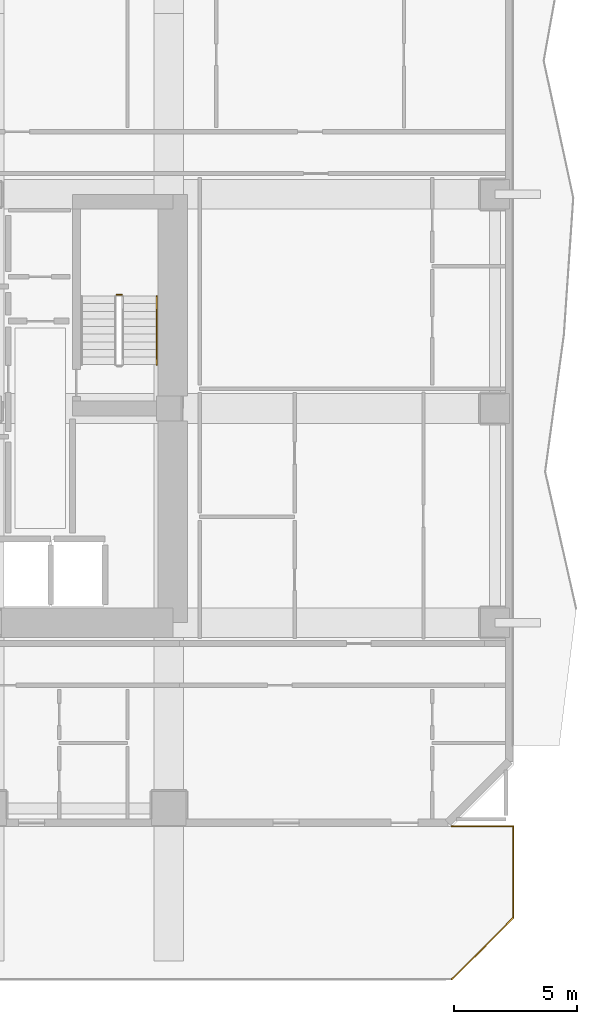
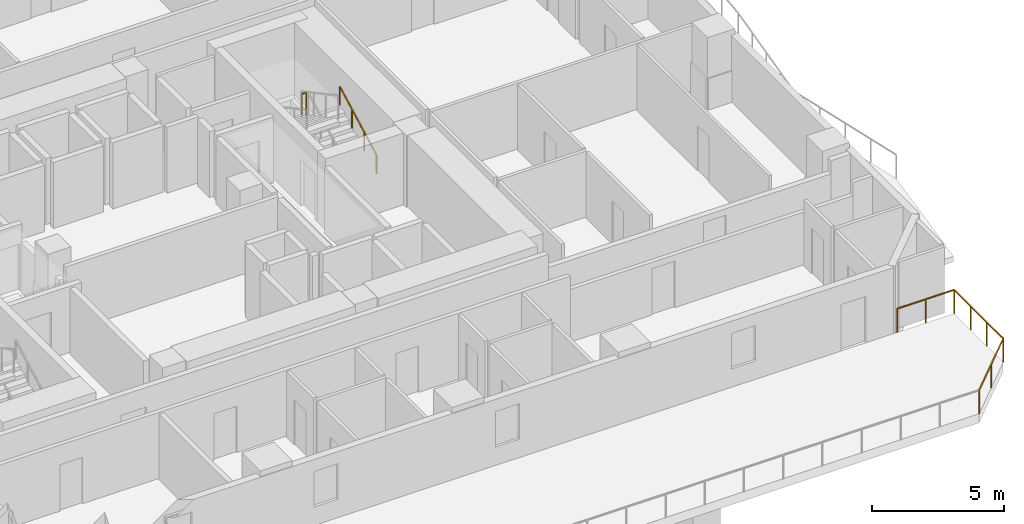
# One storey, part 10 of 11: 5 railings.
"""IFC4 building model written with IfcOpenShell, lengths in metres."""

from ifc_helpers import new_model, si_unit, direction, frame, origin, origin_2d, place, context, subcontext, project, spatial, rectangle, extrude, material, type_object, element, save


model = new_model("IFC4")

# Units and contexts
model_context = context("Model", 3, precision=1e-05, world=origin(), true_north=direction((0.0, 1.0)))
body_context = subcontext(model_context, "Body", "Model", "MODEL_VIEW")
ifc_project = project(units=[si_unit("LENGTHUNIT", "METRE"), si_unit("AREAUNIT", "SQUARE_METRE"), si_unit("VOLUMEUNIT", "CUBIC_METRE"), si_unit("PLANEANGLEUNIT", "RADIAN"), si_unit("MASSUNIT", "GRAM", prefix="KILO")], contexts=[model_context])

# Site, building, storey
site_placement = place(None, origin())
site = spatial("IfcSite", under=ifc_project, at=site_placement, CompositionType="ELEMENT")
building_placement = place(site_placement, origin())
building = spatial("IfcBuilding", under=site, at=building_placement, Name="Solanera Arch Residences", CompositionType="ELEMENT")
storey_placement = place(building_placement, frame((0.0, 0.0, 61.840087890625)))
storey = spatial("IfcBuildingStorey", under=building, at=storey_placement, Name="L17", CompositionType="ELEMENT", Elevation=61.840087890625)

# Railings
ifc_material_1 = material(Name="Steel S355 (ASTM A992 / A572 Grade 50)", Category="steel")
railing_type_1 = type_object("IfcRailingType", Name="Balustrade Railing BL-1100", PredefinedType="BALUSTRADE", material=ifc_material_1)
railing_1_placement = place(storey_placement, frame((50.5, 13.719970703125, 0.0)))
element("IfcRailing", 1, at=railing_1_placement, inside=storey, type_object=railing_type_1, Name="L17 Sky Terrace Guardrail 1", PredefinedType="BALUSTRADE", context=body_context, shape_type="SweptSolid", body=[
    extrude(rectangle(XDim=0.048095703125, YDim=0.048095703125, at=origin_2d()), frame((0.0, 0.0, 1.09619140625), z_axis=(-1.0, 0.0, 0.0), x_axis=(0.0, -1.0, 0.0)), (0.0, 0.0, 1.0), 2.508056640625),
    extrude(rectangle(XDim=0.0419921875, YDim=0.0419921875, at=origin_2d()), origin(), (0.0, 0.0, 1.0), 1.072021484375),
    extrude(rectangle(XDim=0.0419921875, YDim=0.0419921875, at=origin_2d()), frame((-1.25390625, 0.0, 0.0)), (0.0, 0.0, 1.0), 1.072021484375),
    extrude(rectangle(XDim=0.0419921875, YDim=0.0419921875, at=origin_2d()), frame((-2.508056640625, 0.0, 0.0)), (0.0, 0.0, 1.0), 1.072021484375),
])
railing_2_placement = place(storey_placement, frame((48.0, 7.5, 0.0)))
element("IfcRailing", 2, at=railing_2_placement, inside=storey, type_object=railing_type_1, Name="L17 Sky Terrace Guardrail 1", PredefinedType="BALUSTRADE", context=body_context, shape_type="SweptSolid", body=[
    extrude(rectangle(XDim=0.048095703125, YDim=0.048095703125, at=origin_2d()), frame((0.0, 0.0, 1.09619140625), z_axis=(0.707106781187, 0.707106781187, 0.0), x_axis=(-0.707106781187, 0.707106781187, 0.0)), (0.0, 0.0, 1.0), 3.53564453125),
    extrude(rectangle(XDim=0.0419921875, YDim=0.0419921875, at=origin_2d()), origin(), (0.0, 0.0, 1.0), 1.072021484375),
    extrude(rectangle(XDim=0.0419921875, YDim=0.0419921875, at=origin_2d()), frame((1.25, 1.25, 0.0)), (0.0, 0.0, 1.0), 1.072021484375),
    extrude(rectangle(XDim=0.0419921875, YDim=0.0419921875, at=origin_2d()), frame((2.5, 2.5, 0.0)), (0.0, 0.0, 1.0), 1.072021484375),
])
railing_3_placement = place(storey_placement, frame((50.5, 10.0, 0.0)))
element("IfcRailing", 3, at=railing_3_placement, inside=storey, type_object=railing_type_1, Name="L17 Sky Terrace Guardrail 1", PredefinedType="BALUSTRADE", context=body_context, shape_type="SweptSolid", body=[
    extrude(rectangle(XDim=0.048095703125, YDim=0.048095703125, at=origin_2d()), frame((0.0, 0.0, 1.09619140625), z_axis=(0.0, 1.0, 0.0), x_axis=(-1.0, 0.0, 0.0)), (0.0, 0.0, 1.0), 3.719970703125),
    extrude(rectangle(XDim=0.0419921875, YDim=0.0419921875, at=origin_2d()), origin(), (0.0, 0.0, 1.0), 1.072021484375),
    extrude(rectangle(XDim=0.0419921875, YDim=0.0419921875, at=origin_2d()), frame((0.0, 1.239990234375, 0.0)), (0.0, 0.0, 1.0), 1.072021484375),
    extrude(rectangle(XDim=0.0419921875, YDim=0.0419921875, at=origin_2d()), frame((0.0, 2.47998046875, 0.0)), (0.0, 0.0, 1.0), 1.072021484375),
    extrude(rectangle(XDim=0.0419921875, YDim=0.0419921875, at=origin_2d()), frame((0.0, 3.719970703125, 0.0)), (0.0, 0.0, 1.0), 1.072021484375),
])
ifc_material_2 = material(Name="Steel S355 (ASTM A992 / A572 Grade 50)", Category="steel")
railing_type_2 = type_object("IfcRailingType", Name="Stair Guardrail GR-1100", PredefinedType="GUARDRAIL", material=ifc_material_2)
railing_4_placement = place(storey_placement, frame((34.580078125, 35.320068359375, 1.64501953125)))
element("IfcRailing", 4, at=railing_4_placement, inside=storey, type_object=railing_type_2, Name="L17 ST-T2 stair guard 2", PredefinedType="GUARDRAIL", context=body_context, shape_type="SweptSolid", body=[
    extrude(rectangle(XDim=0.048095703125, YDim=0.048095703125, at=origin_2d()), frame((0.0, 0.0, 1.076171875), z_axis=(-1.0, 0.0, 0.0), x_axis=(0.0, -1.0, 0.0)), (0.0, 0.0, 1.0), 0.2001953125),
    extrude(rectangle(XDim=0.0419921875, YDim=0.0419921875, at=origin_2d()), origin(), (0.0, 0.0, 1.0), 1.052001953125),
    extrude(rectangle(XDim=0.0419921875, YDim=0.0419921875, at=origin_2d()), frame((-0.2001953125, 0.0, 0.0)), (0.0, 0.0, 1.0), 1.052001953125),
])
ifc_material_3 = material(Name="Steel S355 (ASTM A992 / A572 Grade 50)", Category="steel")
railing_type_3 = type_object("IfcRailingType", Name="Stair Wall Handrail HR-920", PredefinedType="HANDRAIL", material=ifc_material_3)
railing_5_placement = place(storey_placement, frame((36.010009765625, 32.47998046875, 0.166015625)))
element("IfcRailing", 5, at=railing_5_placement, inside=storey, type_object=railing_type_3, Name="L17 ST-T2 stair handrail 1", PredefinedType="HANDRAIL", context=body_context, shape_type="SweptSolid", body=[
    extrude(rectangle(XDim=0.048095703125, YDim=0.048095703125, at=origin_2d()), frame((0.0, 0.0, 0.8759765625), z_axis=(0.0, 0.881580869306, 0.472033018838), x_axis=(-1.0, 0.0, 0.0)), (0.0, 0.0, 1.0), 3.164794921875),
    extrude(rectangle(XDim=0.0419921875, YDim=0.0419921875, at=origin_2d()), origin(), (0.0, 0.0, 1.0), 0.851806640625),
    extrude(rectangle(XDim=0.0419921875, YDim=0.0419921875, at=origin_2d()), frame((0.0, 0.929931640625, 0.498046875)), (0.0, 0.0, 1.0), 0.851806640625),
    extrude(rectangle(XDim=0.0419921875, YDim=0.0419921875, at=origin_2d()), frame((0.0, 1.860107421875, 0.995849609375)), (0.0, 0.0, 1.0), 0.851806640625),
    extrude(rectangle(XDim=0.0419921875, YDim=0.0419921875, at=origin_2d()), frame((0.0, 2.7900390625, 1.493896484375)), (0.0, 0.0, 1.0), 0.851806640625),
])

save(model, "model.ifc")
